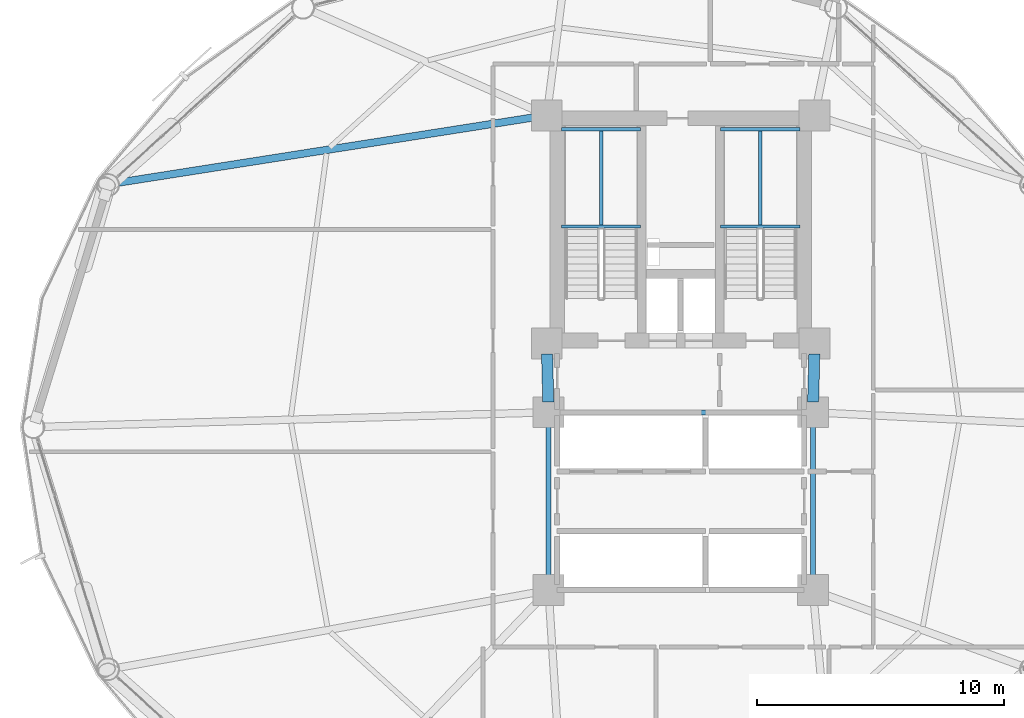
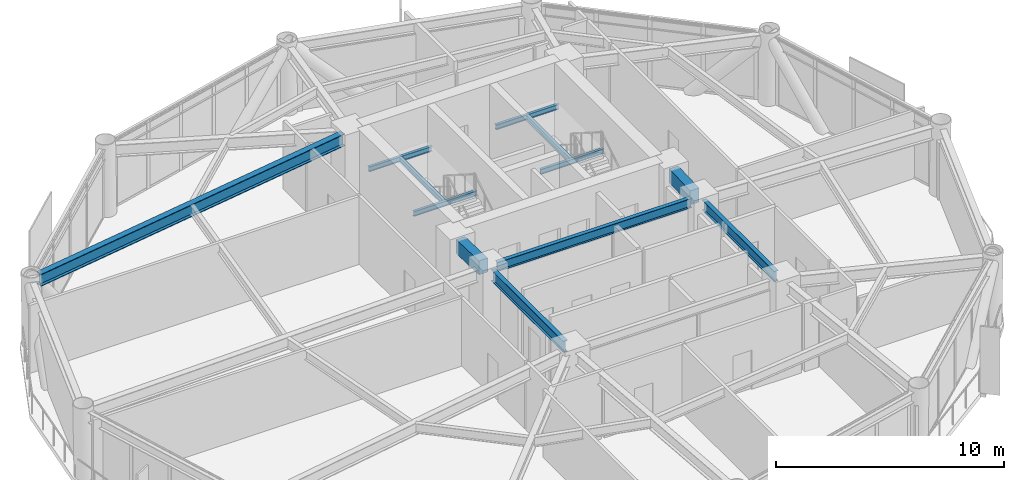
# One storey, part 11 of 25: 12 beams.
"""IFC4 building model written with IfcOpenShell, lengths in metres."""

from ifc_helpers import new_model, si_unit, direction, frame, origin, origin_2d, place, context, subcontext, project, spatial, rectangle, i_section, extrude, material, material_profile, profile_set, type_object, element, save


model = new_model("IFC4")

# Units and contexts
model_context = context("Model", 3, precision=1e-05, world=origin(), true_north=direction((0.0, 1.0)))
body_context = subcontext(model_context, "Body", "Model", "MODEL_VIEW")
ifc_project = project(units=[si_unit("LENGTHUNIT", "METRE"), si_unit("AREAUNIT", "SQUARE_METRE"), si_unit("VOLUMEUNIT", "CUBIC_METRE"), si_unit("PLANEANGLEUNIT", "RADIAN"), si_unit("MASSUNIT", "GRAM", prefix="KILO")], contexts=[model_context])

# Site, building, storey
site_placement = place(None, origin())
site = spatial("IfcSite", under=ifc_project, at=site_placement, CompositionType="ELEMENT")
building_placement = place(site_placement, origin())
building = spatial("IfcBuilding", under=site, at=building_placement, Name="Varnakorn Sky Granary", CompositionType="ELEMENT")
storey_placement = place(building_placement, frame((0.0, 0.0, 70.5)))
storey = spatial("IfcBuildingStorey", under=building, at=storey_placement, Name="L17", CompositionType="ELEMENT", Elevation=70.5)

# Beams
ifc_material_1 = material(Name="Steel S355JR", Category="steel")
ifc_material_profile_1 = material_profile(ifc_material_1, i_section(OverallWidth=0.2099609375, OverallDepth=0.550048828125, WebThickness=0.010986328125, FlangeThickness=0.01708984375, at=origin_2d()), Name="IPE 550")
ifc_profile_set_1 = profile_set([ifc_material_profile_1], Name="Steel S355JR")
beam_type_1 = type_object("IfcBeamType", Name="BM-JST-550", PredefinedType="JOIST", material=ifc_profile_set_1)
beam_1_placement = place(storey_placement, frame((8.35009765625, 0.179931640625, 3.364990234375), z_axis=(0.0, -1.0, 0.0), x_axis=(1.0, 0.0, 0.0)))
element("IfcBeam", 1, at=beam_1_placement, inside=storey, type_object=beam_type_1, Name="Core Spine Framing Beam 4 L17", PredefinedType="JOIST", context=body_context, shape_type="SweptSolid", body=[
    extrude(i_section(OverallWidth=0.2099609375, OverallDepth=0.550048828125, WebThickness=0.010986328125, FlangeThickness=0.01708984375, at=origin_2d()), origin(), (0.0, 0.0, 1.0), 6.35986328125),
])
ifc_material_profile_2 = material_profile(ifc_material_1, i_section(OverallWidth=0.219970703125, OverallDepth=0.60009765625, WebThickness=0.011962890625, FlangeThickness=0.01904296875, at=origin_2d()), Name="IPE 600")
ifc_profile_set_2 = profile_set([ifc_material_profile_2], Name="Steel S355JR")
beam_type_2 = type_object("IfcBeamType", Name="BM-JST-600", PredefinedType="JOIST", material=ifc_profile_set_2)
beam_2_placement = place(storey_placement, frame((-2.35009765625, 0.179931640625, 3.340087890625), z_axis=(0.0, -1.0, 0.0), x_axis=(1.0, 0.0, 0.0)))
element("IfcBeam", 2, at=beam_2_placement, inside=storey, type_object=beam_type_2, Name="Core Spine Framing Beam 3 L17", PredefinedType="JOIST", context=body_context, shape_type="SweptSolid", body=[
    extrude(i_section(OverallWidth=0.219970703125, OverallDepth=0.60009765625, WebThickness=0.011962890625, FlangeThickness=0.01904296875, at=origin_2d()), origin(), (0.0, 0.0, 1.0), 6.35986328125),
])
ifc_material_2 = material(Name="Concrete C60/75", Category="concrete")
ifc_material_profile_3 = material_profile(ifc_material_2, rectangle(XDim=0.449951171875, YDim=0.75, at=origin_2d()), Name="RC 450x750")
ifc_profile_set_3 = profile_set([ifc_material_profile_3], Name="Concrete C60/75")
beam_type_3 = type_object("IfcBeamType", Name="BM-LIN-750", PredefinedType="LINTEL", material=ifc_profile_set_3)
for number, where, z_axis, x_axis, name in (
    (3, (-2.409423828125, 2.960205078125, 3.264892578125), (0.025158763514, -0.999683468213, 0.0), (0.999683468213, 0.025158763514, 0.0), "Core Spine Framing Beam 1 L17"),
    (4, (8.409423828125, 2.960205078125, 3.264892578125), (-0.025158763514, -0.999683468213, 0.0), (0.999683468213, -0.025158763514, 0.0), "Core Spine Framing Beam 2 L17"),
):
    element("IfcBeam", number, at=place(storey_placement, frame(where, z_axis=z_axis, x_axis=x_axis)), inside=storey, type_object=beam_type_3, Name=name, PredefinedType="LINTEL", context=body_context, shape_type="SweptSolid", body=[
        extrude(rectangle(XDim=0.449951171875, YDim=0.75, at=origin_2d()), origin(), (0.0, 0.0, 1.0), 1.94091796875),
    ])
ifc_material_profile_4 = material_profile(ifc_material_1, i_section(OverallWidth=0.135009765625, OverallDepth=0.27001953125, WebThickness=0.006591796875, FlangeThickness=0.01025390625, at=origin_2d()), Name="IPE 270")
ifc_profile_set_4 = profile_set([ifc_material_profile_4], Name="Steel S355JR")
beam_type_4 = type_object("IfcBeamType", Name="BM-LND-270", PredefinedType="BEAM", material=ifc_profile_set_4)
for number, where, z_axis, x_axis, name in (
    (5, (-1.820068359375, 8.1201171875, 1.614990234375), (1.0, 0.0, 0.0), (0.0, 1.0, 0.0), "Stair ST-1 Landing Trimmer Beam A L17-1"),
    (6, (-1.820068359375, 12.06005859375, 1.614990234375), (1.0, 0.0, 0.0), (0.0, 1.0, 0.0), "Stair ST-1 Landing Trimmer Beam B L17-1"),
):
    element("IfcBeam", number, at=place(storey_placement, frame(where, z_axis=z_axis, x_axis=x_axis)), inside=storey, type_object=beam_type_4, Name=name, PredefinedType="BEAM", context=body_context, shape_type="SweptSolid", body=[
        extrude(i_section(OverallWidth=0.135009765625, OverallDepth=0.27001953125, WebThickness=0.006591796875, FlangeThickness=0.01025390625, at=origin_2d()), origin(), (0.0, 0.0, 1.0), 3.199951171875),
    ])
beam_3_placement = place(storey_placement, frame((-0.219970703125, 8.1201171875, 1.614990234375), z_axis=(0.0, 1.0, 0.0), x_axis=(-1.0, 0.0, 0.0)))
element("IfcBeam", 7, at=beam_3_placement, inside=storey, type_object=beam_type_4, Name="Stair ST-1 Landing Cross Beam C L17-1", PredefinedType="BEAM", context=body_context, shape_type="SweptSolid", body=[
    extrude(i_section(OverallWidth=0.135009765625, OverallDepth=0.27001953125, WebThickness=0.006591796875, FlangeThickness=0.01025390625, at=origin_2d()), origin(), (0.0, 0.0, 1.0), 3.93994140625),
])
for number, where, z_axis, x_axis, name in (
    (8, (4.6201171875, 8.1201171875, 1.614990234375), (1.0, 0.0, 0.0), (0.0, 1.0, 0.0), "Stair ST-2 Landing Trimmer Beam A L17-1"),
    (9, (4.6201171875, 12.06005859375, 1.614990234375), (1.0, 0.0, 0.0), (0.0, 1.0, 0.0), "Stair ST-2 Landing Trimmer Beam B L17-1"),
):
    element("IfcBeam", number, at=place(storey_placement, frame(where, z_axis=z_axis, x_axis=x_axis)), inside=storey, type_object=beam_type_4, Name=name, PredefinedType="BEAM", context=body_context, shape_type="SweptSolid", body=[
        extrude(i_section(OverallWidth=0.135009765625, OverallDepth=0.27001953125, WebThickness=0.006591796875, FlangeThickness=0.01025390625, at=origin_2d()), origin(), (0.0, 0.0, 1.0), 3.199951171875),
    ])
beam_4_placement = place(storey_placement, frame((6.219970703125, 8.1201171875, 1.614990234375), z_axis=(0.0, 1.0, 0.0), x_axis=(-1.0, 0.0, 0.0)))
element("IfcBeam", 10, at=beam_4_placement, inside=storey, type_object=beam_type_4, Name="Stair ST-2 Landing Cross Beam C L17-1", PredefinedType="BEAM", context=body_context, shape_type="SweptSolid", body=[
    extrude(i_section(OverallWidth=0.135009765625, OverallDepth=0.27001953125, WebThickness=0.006591796875, FlangeThickness=0.01025390625, at=origin_2d()), origin(), (0.0, 0.0, 1.0), 3.93994140625),
])
ifc_material_profile_5 = material_profile(ifc_material_1, i_section(OverallWidth=0.300048828125, OverallDepth=0.64990234375, WebThickness=0.01611328125, FlangeThickness=0.031005859375, at=origin_2d()), Name="HE 650 B")
ifc_profile_set_5 = profile_set([ifc_material_profile_5], Name="Steel S355JR")
beam_type_5 = type_object("IfcBeamType", Name="BM-RAD-Z1", PredefinedType="BEAM", material=ifc_profile_set_5)
beam_5_placement = place(storey_placement, frame((-2.8349609375, 12.5546875, 3.31494140625), z_axis=(-0.987892699713, -0.155138692319, 0.0), x_axis=(0.155138692319, -0.987892699713, 0.0)))
element("IfcBeam", 11, at=beam_5_placement, inside=storey, type_object=beam_type_5, Name="Radial Floor Girder RG06 L17", PredefinedType="BEAM", context=body_context, shape_type="SweptSolid", body=[
    extrude(i_section(OverallWidth=0.300048828125, OverallDepth=0.64990234375, WebThickness=0.01611328125, FlangeThickness=0.031005859375, at=origin_2d()), origin(), (0.0, 0.0, 1.0), 17.165771484375),
])
ifc_material_profile_6 = material_profile(ifc_material_1, i_section(OverallWidth=0.199951171875, OverallDepth=0.5, WebThickness=0.01025390625, FlangeThickness=0.01611328125, at=origin_2d()), Name="IPE 500")
ifc_profile_set_6 = profile_set([ifc_material_profile_6], Name="Steel S355JR")
beam_type_6 = type_object("IfcBeamType", Name="BM-SEC-Z1", PredefinedType="BEAM", material=ifc_profile_set_6)
beam_6_placement = place(storey_placement, frame((-1.929931640625, 0.60009765625, 3.389892578125), z_axis=(1.0, 0.0, 0.0), x_axis=(0.0, 1.0, 0.0)))
element("IfcBeam", 12, at=beam_6_placement, inside=storey, type_object=beam_type_6, Name="Core Spine Framing Beam 5 L17", PredefinedType="BEAM", context=body_context, shape_type="SweptSolid", body=[
    extrude(i_section(OverallWidth=0.199951171875, OverallDepth=0.5, WebThickness=0.01025390625, FlangeThickness=0.01611328125, at=origin_2d()), origin(), (0.0, 0.0, 1.0), 9.85986328125),
])

save(model, "model.ifc")
